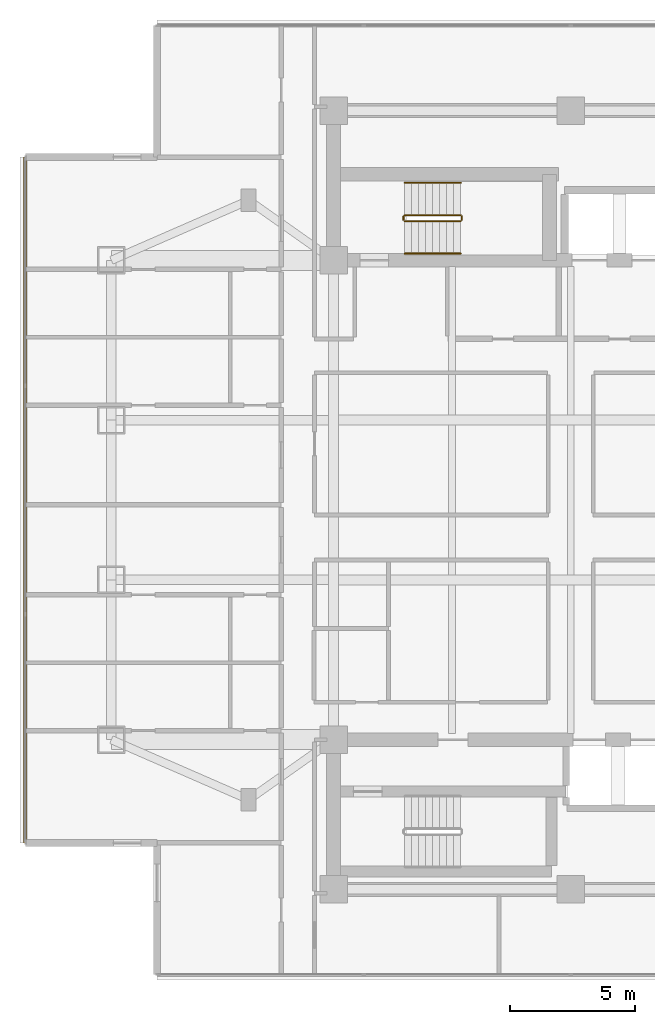
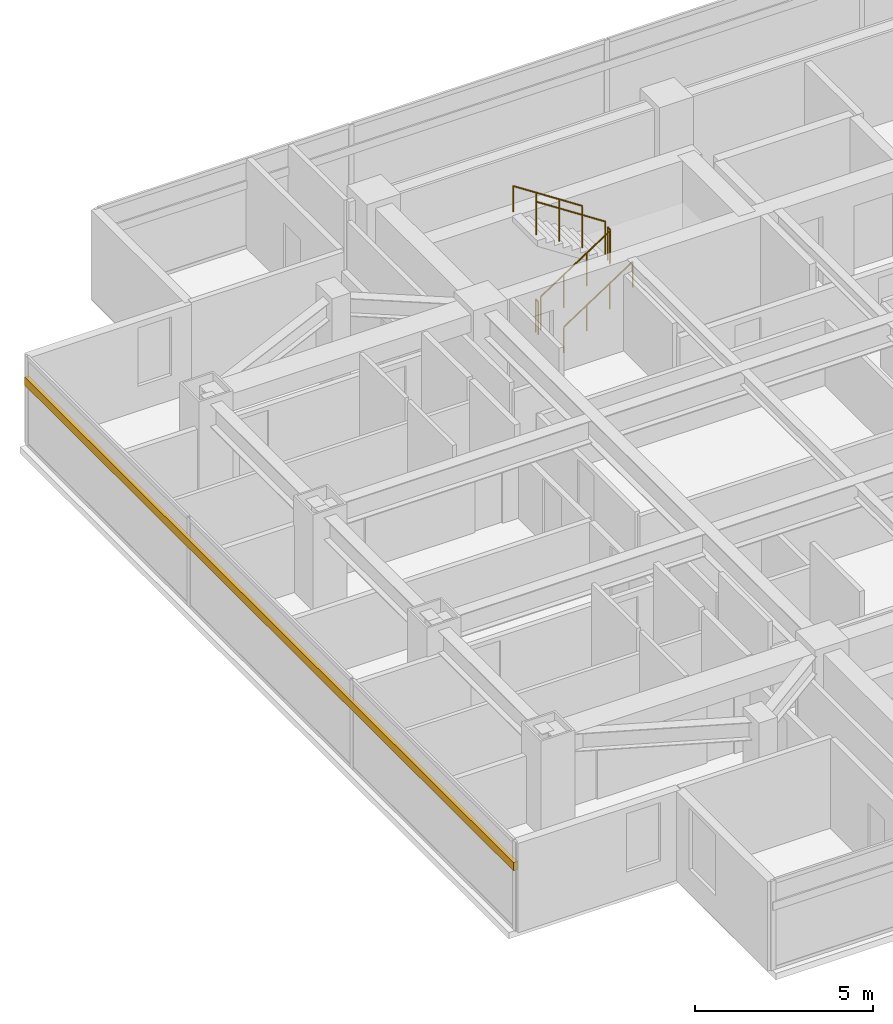
# One storey, part 21 of 24: 6 railings, 1 shading device.
"""IFC4 building model written with IfcOpenShell, lengths in metres."""

from ifc_helpers import new_model, si_unit, direction, frame, origin, origin_2d, place, context, subcontext, project, spatial, rectangle, circle, extrude, material, material_profile, profile_set, type_object, element, save


model = new_model("IFC4")

# Units and contexts
model_context = context("Model", 3, precision=1e-05, world=origin(), true_north=direction((0.0, 1.0)))
body_context = subcontext(model_context, "Body", "Model", "MODEL_VIEW")
ifc_project = project(units=[si_unit("LENGTHUNIT", "METRE"), si_unit("AREAUNIT", "SQUARE_METRE"), si_unit("VOLUMEUNIT", "CUBIC_METRE"), si_unit("PLANEANGLEUNIT", "RADIAN"), si_unit("MASSUNIT", "GRAM", prefix="KILO")], contexts=[model_context])

# Site, building, storey
site_placement = place(None, origin())
site = spatial("IfcSite", under=ifc_project, at=site_placement, CompositionType="ELEMENT")
building_placement = place(site_placement, origin())
building = spatial("IfcBuilding", under=site, at=building_placement, Name="Mirazonda Arch Towers", CompositionType="ELEMENT")
storey_placement = place(building_placement, frame((0.0, 0.0, 141.199951171875)))
storey = spatial("IfcBuildingStorey", under=building, at=storey_placement, Name="L40", CompositionType="ELEMENT", Elevation=141.199951171875)

# Shading device
ifc_material_1 = material(Name="Kiln-Fired Architectural Terracotta", Category="masonry")
ifc_material_profile = material_profile(ifc_material_1, rectangle(XDim=0.139892578125, YDim=0.280029296875, at=origin_2d()), Name="TERRA-BAG-140x280")
ifc_profile_set = profile_set([ifc_material_profile], Name="Kiln-Fired Architectural Terracotta")
shading_device_type = type_object("IfcShadingDeviceType", Name="BAGUETTE-3", PredefinedType="USERDEFINED", material=ifc_profile_set)
shading_device_placement = place(storey_placement, frame((-1.340087890625, 41.736083984375, 2.203369140625), z_axis=(0.0, -1.0, 0.0), x_axis=(1.0, 0.0, 0.0)))
element("IfcShadingDevice", 1, at=shading_device_placement, inside=storey, type_object=shading_device_type, Name="L40 Glazed Terracotta Sun-Screen Baguette CW-L40-T1-W", ObjectType="BAGUETTE", PredefinedType="USERDEFINED", context=body_context, shape_type="SweptSolid", body=[
    extrude(rectangle(XDim=0.139892578125, YDim=0.280029296875, at=origin_2d()), origin(), (0.0, 0.0, 1.0), 27.47216796875),
])

# Railings
ifc_material_2 = material(Name="Architectural Brushed Steel S355", Category="steel")
railing_type_1 = type_object("IfcRailingType", Name="GUARD-STAIR-1120", PredefinedType="GUARDRAIL", material=ifc_material_2)
railing_1_placement = place(storey_placement, frame((13.85009765625, 39.169921875, 0.183349609375)))
element("IfcRailing", 2, at=railing_1_placement, inside=storey, type_object=railing_type_1, Name="L40 ST-T1N stair guard 1", PredefinedType="GUARDRAIL", context=body_context, shape_type="SweptSolid", body=[
    extrude(circle(Radius=0.02392578125, at=origin_2d()), frame((0.0, 0.0, 1.1259765625), z_axis=(0.836595146698, 0.0, 0.547821650285), x_axis=(0.0, 1.0, 0.0)), (0.0, 0.0, 1.0), 2.677490234375),
    extrude(circle(Radius=0.02099609375, at=origin_2d()), origin(), (0.0, 0.0, 1.0), 1.101806640625),
    extrude(circle(Radius=0.02099609375, at=origin_2d()), frame((0.74658203125, 0.0, 0.489013671875)), (0.0, 0.0, 1.0), 1.101806640625),
    extrude(circle(Radius=0.02099609375, at=origin_2d()), frame((1.493408203125, 0.0, 0.977783203125)), (0.0, 0.0, 1.0), 1.101806640625),
    extrude(circle(Radius=0.02099609375, at=origin_2d()), frame((2.239990234375, 0.0, 1.466796875)), (0.0, 0.0, 1.0), 1.101806640625),
])
railing_2_placement = place(storey_placement, frame((16.139892578125, 39.219970703125, 1.650146484375)))
element("IfcRailing", 3, at=railing_2_placement, inside=storey, type_object=railing_type_1, Name="L40 ST-T1N stair guard 2", PredefinedType="GUARDRAIL", context=body_context, shape_type="SweptSolid", body=[
    extrude(circle(Radius=0.02392578125, at=origin_2d()), frame((0.0, 0.0, 1.1259765625), z_axis=(0.0, 1.0, 0.0), x_axis=(-1.0, 0.0, 0.0)), (0.0, 0.0, 1.0), 0.14013671875),
    extrude(circle(Radius=0.02099609375, at=origin_2d()), origin(), (0.0, 0.0, 1.0), 1.101806640625),
    extrude(circle(Radius=0.02099609375, at=origin_2d()), frame((0.0, 0.14013671875, 0.0)), (0.0, 0.0, 1.0), 1.101806640625),
])
railing_3_placement = place(storey_placement, frame((16.090087890625, 39.409912109375, 1.83349609375)))
element("IfcRailing", 4, at=railing_3_placement, inside=storey, type_object=railing_type_1, Name="L40 ST-T1N stair guard 3", PredefinedType="GUARDRAIL", context=body_context, shape_type="SweptSolid", body=[
    extrude(circle(Radius=0.02392578125, at=origin_2d()), frame((0.0, 0.0, 1.1259765625), z_axis=(-0.836636935527, 0.0, 0.547757827979), x_axis=(0.0, -1.0, 0.0)), (0.0, 0.0, 1.0), 2.677490234375),
    extrude(circle(Radius=0.02099609375, at=origin_2d()), origin(), (0.0, 0.0, 1.0), 1.101806640625),
    extrude(circle(Radius=0.02099609375, at=origin_2d()), frame((-0.74658203125, 0.0, 0.48876953125)), (0.0, 0.0, 1.0), 1.101806640625),
    extrude(circle(Radius=0.02099609375, at=origin_2d()), frame((-1.493408203125, 0.0, 0.977783203125)), (0.0, 0.0, 1.0), 1.101806640625),
    extrude(circle(Radius=0.02099609375, at=origin_2d()), frame((-2.239990234375, 0.0, 1.466552734375)), (0.0, 0.0, 1.0), 1.101806640625),
])
railing_4_placement = place(storey_placement, frame((13.800048828125, 39.219970703125, 0.0)))
element("IfcRailing", 5, at=railing_4_placement, inside=storey, type_object=railing_type_1, Name="L40 ST-T1N stair guard 4", PredefinedType="GUARDRAIL", context=body_context, shape_type="SweptSolid", body=[
    extrude(circle(Radius=0.02392578125, at=origin_2d()), frame((0.0, 0.0, 1.1259765625), z_axis=(0.0, 1.0, 0.0), x_axis=(-1.0, 0.0, 0.0)), (0.0, 0.0, 1.0), 0.14013671875),
    extrude(circle(Radius=0.02099609375, at=origin_2d()), origin(), (0.0, 0.0, 1.0), 1.101806640625),
    extrude(circle(Radius=0.02099609375, at=origin_2d()), frame((0.0, 0.14013671875, 0.0)), (0.0, 0.0, 1.0), 1.101806640625),
])
railing_type_2 = type_object("IfcRailingType", Name="HANDRAIL-915", PredefinedType="HANDRAIL", material=ifc_material_2)
railing_5_placement = place(storey_placement, frame((13.85009765625, 37.8701171875, 0.183349609375)))
element("IfcRailing", 6, at=railing_5_placement, inside=storey, type_object=railing_type_2, Name="L40 ST-T1N stair handrail 1", PredefinedType="HANDRAIL", context=body_context, shape_type="SweptSolid", body=[
    extrude(circle(Radius=0.02392578125, at=origin_2d()), frame((0.0, 0.0, 0.8759765625), z_axis=(0.836595146698, 0.0, 0.547821650285), x_axis=(0.0, 1.0, 0.0)), (0.0, 0.0, 1.0), 2.677490234375),
    extrude(circle(Radius=0.02099609375, at=origin_2d()), origin(), (0.0, 0.0, 1.0), 0.851806640625),
    extrude(circle(Radius=0.02099609375, at=origin_2d()), frame((0.74658203125, 0.0, 0.489013671875)), (0.0, 0.0, 1.0), 0.851806640625),
    extrude(circle(Radius=0.02099609375, at=origin_2d()), frame((1.493408203125, 0.0, 0.977783203125)), (0.0, 0.0, 1.0), 0.851806640625),
    extrude(circle(Radius=0.02099609375, at=origin_2d()), frame((2.239990234375, 0.0, 1.466796875)), (0.0, 0.0, 1.0), 0.851806640625),
])
railing_6_placement = place(storey_placement, frame((16.090087890625, 40.7099609375, 1.83349609375)))
element("IfcRailing", 7, at=railing_6_placement, inside=storey, type_object=railing_type_2, Name="L40 ST-T1N stair handrail 2", PredefinedType="HANDRAIL", context=body_context, shape_type="SweptSolid", body=[
    extrude(circle(Radius=0.02392578125, at=origin_2d()), frame((0.0, 0.0, 0.8759765625), z_axis=(-0.836636935527, 0.0, 0.547757827979), x_axis=(0.0, -1.0, 0.0)), (0.0, 0.0, 1.0), 2.677490234375),
    extrude(circle(Radius=0.02099609375, at=origin_2d()), origin(), (0.0, 0.0, 1.0), 0.851806640625),
    extrude(circle(Radius=0.02099609375, at=origin_2d()), frame((-0.74658203125, 0.0, 0.48876953125)), (0.0, 0.0, 1.0), 0.851806640625),
    extrude(circle(Radius=0.02099609375, at=origin_2d()), frame((-1.493408203125, 0.0, 0.977783203125)), (0.0, 0.0, 1.0), 0.851806640625),
    extrude(circle(Radius=0.02099609375, at=origin_2d()), frame((-2.239990234375, 0.0, 1.466552734375)), (0.0, 0.0, 1.0), 0.851806640625),
])

save(model, "model.ifc")
